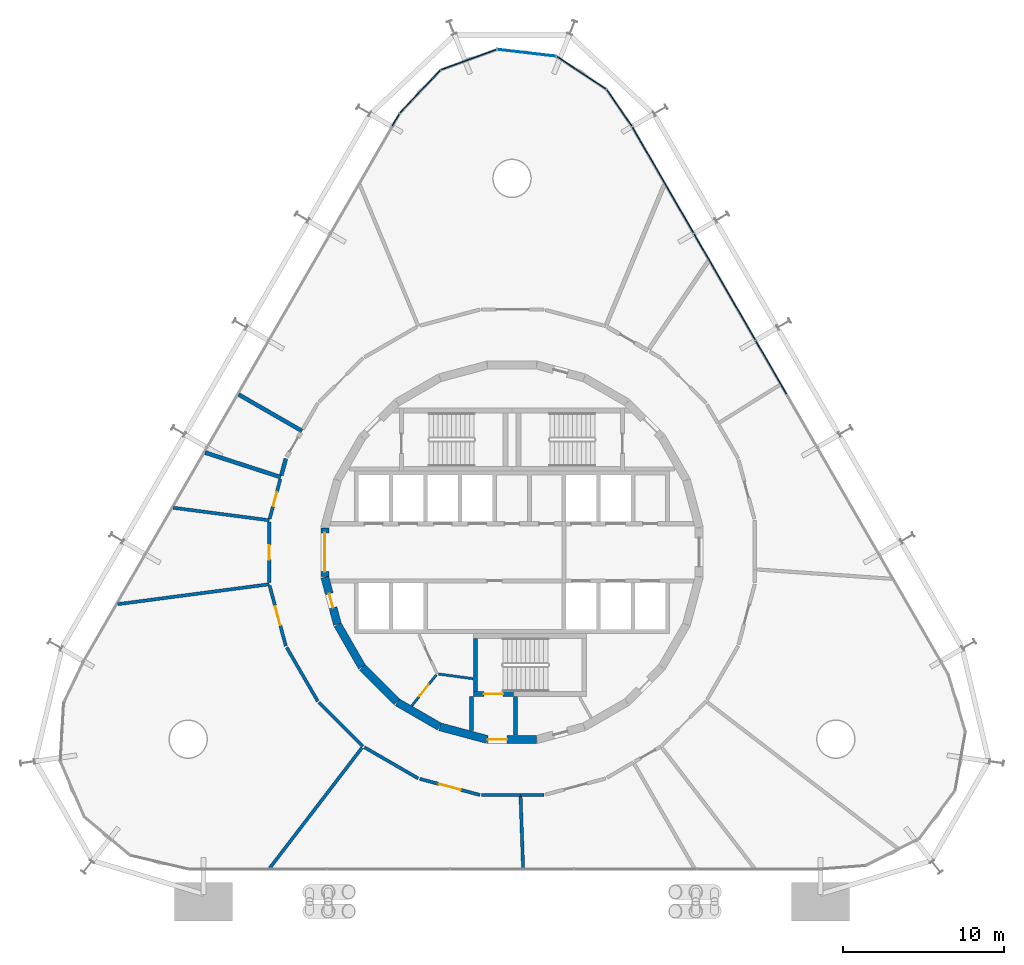
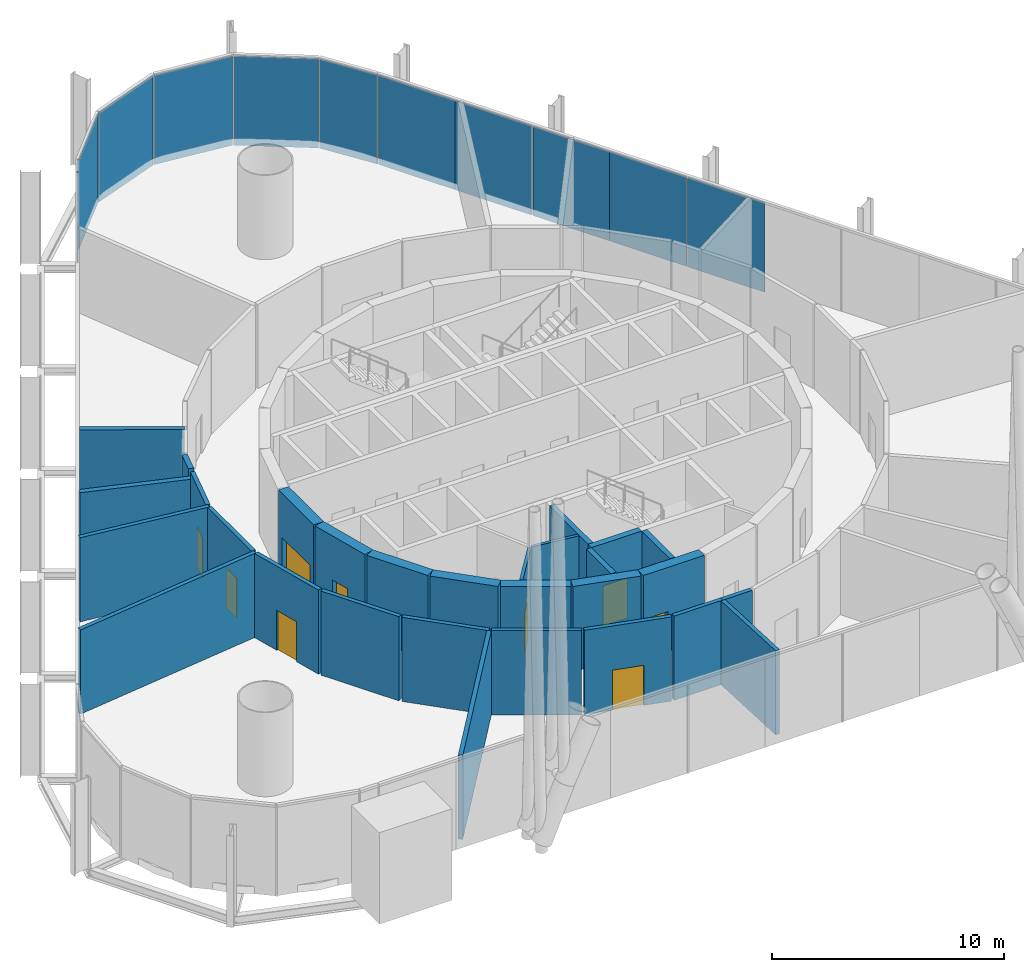
# One storey, part 13 of 17: 29 walls, 11 plates, 9 doors, 9 openings, 2 elements without a shape of their own.
"""IFC4 building model written with IfcOpenShell, lengths in metres."""

from ifc_helpers import new_model, si_unit, direction, frame, frame_2d, origin, origin_2d, place, context, subcontext, project, spatial, rectangle, extrude, material, layer, layer_set, type_object, element, fill, aggregate, save


model = new_model("IFC4")

# Units and contexts
model_context = context("Model", 3, precision=1e-05, world=origin(), true_north=direction((0.0, 1.0)))
body_context = subcontext(model_context, "Body", "Model", "MODEL_VIEW")
ifc_project = project(units=[si_unit("LENGTHUNIT", "METRE"), si_unit("AREAUNIT", "SQUARE_METRE"), si_unit("VOLUMEUNIT", "CUBIC_METRE"), si_unit("PLANEANGLEUNIT", "RADIAN"), si_unit("MASSUNIT", "GRAM", prefix="KILO")], contexts=[model_context])

# Site, building, storey
site_placement = place(None, origin())
site = spatial("IfcSite", under=ifc_project, at=site_placement, CompositionType="ELEMENT")
building_placement = place(site_placement, origin())
building = spatial("IfcBuilding", under=site, at=building_placement, Name="Spindle Arch Residences", CompositionType="ELEMENT")
storey_placement = place(building_placement, frame((0.0, 0.0, 13.800048828125)))
storey = spatial("IfcBuildingStorey", under=building, at=storey_placement, Name="L02", CompositionType="ELEMENT", Elevation=13.800048828125)

# Curtain wall, plates
ifc_material_1 = material(Name="Aluminium bronze unitised frame with tinted glass", Category="aluminium")
ifc_layer_1 = layer(ifc_material_1, 0.159912109375)
ifc_layer_set_1 = layer_set([ifc_layer_1], Name="CW-B amenity podium glazed wall")
curtain_wall_type_1 = type_object("IfcCurtainWallType", Name="CW-B amenity podium glazed wall", PredefinedType="NOTDEFINED", material=ifc_layer_set_1)
curtain_wall_1_placement = place(storey_placement, origin())
curtain_wall_1 = element("IfcCurtainWall", 1, at=curtain_wall_1_placement, inside=storey, type_object=curtain_wall_type_1, Name="CW-B L02 run 2", PredefinedType="NOTDEFINED")
ifc_material_2 = material(Name="Tinted double glazing over aluminium faced non-combustible spandrel zone (K0)", Category="aluminium")
ifc_layer_2 = layer(ifc_material_2, 0.06005859375)
ifc_layer_set_2 = layer_set([ifc_layer_2], Name="Unitised glass panel with E 60 spandrel zone")
plate_type = type_object("IfcPlateType", Name="Unitised glass panel with E 60 spandrel zone", PredefinedType="CURTAIN_PANEL", material=ifc_layer_set_2)
plate_1_placement = place(storey_placement, frame((16.11669921875, 11.504638671875, -0.3798828125), z_axis=(0.0, 0.0, 1.0), x_axis=(-0.5, 0.866025403784, 0.0)))
plate_1 = element("IfcPlate", 2, at=plate_1_placement, type_object=plate_type, Name="CW-B unit 07B", PredefinedType="CURTAIN_PANEL", context=body_context, shape_type="SweptSolid", body=[
    extrude(rectangle(XDim=3.81005859375, YDim=0.06005859375, at=origin_2d()), origin(), (0.0, 0.0, 1.0), 4.679931640625),
])
plate_2_placement = place(storey_placement, frame((14.181640625, 14.856201171875, -0.3798828125), z_axis=(0.0, 0.0, 1.0), x_axis=(-0.5, 0.866025403784, 0.0)))
plate_2 = element("IfcPlate", 3, at=plate_2_placement, type_object=plate_type, Name="CW-B unit 08A", PredefinedType="CURTAIN_PANEL", context=body_context, shape_type="SweptSolid", body=[
    extrude(rectangle(XDim=3.81005859375, YDim=0.06005859375, at=origin_2d()), origin(), (0.0, 0.0, 1.0), 4.679931640625),
])
plate_3_placement = place(storey_placement, frame((12.27685546875, 18.156005859375, -0.3798828125), z_axis=(0.0, 0.0, 1.0), x_axis=(-0.5, 0.866025403784, 0.0)))
plate_3 = element("IfcPlate", 4, at=plate_3_placement, type_object=plate_type, Name="CW-B unit 08B", PredefinedType="CURTAIN_PANEL", context=body_context, shape_type="SweptSolid", body=[
    extrude(rectangle(XDim=3.81005859375, YDim=0.06005859375, at=origin_2d()), origin(), (0.0, 0.0, 1.0), 4.679931640625),
])
plate_4_placement = place(storey_placement, frame((10.341796875, 21.50732421875, -0.3798828125), z_axis=(0.0, 0.0, 1.0), x_axis=(-0.5, 0.866025403784, 0.0)))
plate_4 = element("IfcPlate", 5, at=plate_4_placement, type_object=plate_type, Name="CW-B unit 09A", PredefinedType="CURTAIN_PANEL", context=body_context, shape_type="SweptSolid", body=[
    extrude(rectangle(XDim=3.81005859375, YDim=0.06005859375, at=origin_2d()), origin(), (0.0, 0.0, 1.0), 4.679931640625),
])
plate_5_placement = place(storey_placement, frame((8.436767578125, 24.80712890625, -0.3798828125), z_axis=(0.0, 0.0, 1.0), x_axis=(-0.5, 0.866025403784, 0.0)))
plate_5 = element("IfcPlate", 6, at=plate_5_placement, type_object=plate_type, Name="CW-B unit 09B", PredefinedType="CURTAIN_PANEL", context=body_context, shape_type="SweptSolid", body=[
    extrude(rectangle(XDim=3.81005859375, YDim=0.06005859375, at=origin_2d()), origin(), (0.0, 0.0, 1.0), 4.679931640625),
])
aggregate(curtain_wall_1, [plate_1, plate_2, plate_3, plate_4, plate_5])

ifc_material_3 = material(Name="Aluminium bronze unitised frame with tinted glass", Category="aluminium")
ifc_layer_3 = layer(ifc_material_3, 0.159912109375)
ifc_layer_set_3 = layer_set([ifc_layer_3], Name="CW-D corner wall on the fillet arcs")
curtain_wall_type_2 = type_object("IfcCurtainWallType", Name="CW-D corner wall on the fillet arcs", PredefinedType="NOTDEFINED", material=ifc_layer_set_3)
curtain_wall_2_placement = place(storey_placement, origin())
curtain_wall_2 = element("IfcCurtainWall", 7, at=curtain_wall_2_placement, inside=storey, type_object=curtain_wall_type_2, Name="CW-D L02 run 3", PredefinedType="NOTDEFINED")
plate_6_placement = place(storey_placement, frame((6.673095703125, 27.643798828125, -0.3798828125), z_axis=(0.0, 0.0, 1.0), x_axis=(-0.565500718711, 0.824747802142, 0.0)))
plate_6 = element("IfcPlate", 8, at=plate_6_placement, type_object=plate_type, Name="CW-D unit 00", PredefinedType="CURTAIN_PANEL", context=body_context, shape_type="SweptSolid", body=[
    extrude(rectangle(XDim=2.755126953125, YDim=0.06005859375, at=origin_2d()), origin(), (0.0, 0.0, 1.0), 4.679931640625),
])
plate_7_placement = place(storey_placement, frame((4.3203125, 29.82861328125, -0.3798828125), z_axis=(0.0, 0.0, 1.0), x_axis=(-0.835487811704, 0.549508977628, 0.0)))
plate_7 = element("IfcPlate", 9, at=plate_7_placement, type_object=plate_type, Name="CW-D unit 01", PredefinedType="CURTAIN_PANEL", context=body_context, shape_type="SweptSolid", body=[
    extrude(rectangle(XDim=3.666748046875, YDim=0.06005859375, at=origin_2d()), origin(), (0.0, 0.0, 1.0), 4.679931640625),
])
plate_8_placement = place(storey_placement, frame((0.912841796875, 31.06884765625, -0.3798828125), z_axis=(0.0, 0.0, 1.0), x_axis=(-0.993238357591, 0.116092915414, 0.0)))
plate_8 = element("IfcPlate", 10, at=plate_8_placement, type_object=plate_type, Name="CW-D unit 02", PredefinedType="CURTAIN_PANEL", context=body_context, shape_type="SweptSolid", body=[
    extrude(rectangle(XDim=3.666748046875, YDim=0.06005859375, at=origin_2d()), origin(), (0.0, 0.0, 1.0), 4.679931640625),
])
plate_9_placement = place(storey_placement, frame((-2.68896484375, 30.64794921875, -0.3798828125), z_axis=(0.0, 0.0, 1.0), x_axis=(-0.939692621437, -0.342020141538, 0.0)))
plate_9 = element("IfcPlate", 11, at=plate_9_placement, type_object=plate_type, Name="CW-D unit 03", PredefinedType="CURTAIN_PANEL", context=body_context, shape_type="SweptSolid", body=[
    extrude(rectangle(XDim=3.666748046875, YDim=0.06005859375, at=origin_2d()), origin(), (0.0, 0.0, 1.0), 4.679931640625),
])
plate_10_placement = place(storey_placement, frame((-5.71875, 28.6552734375, -0.3798828125), z_axis=(0.0, 0.0, 1.0), x_axis=(-0.686241639236, -0.727373640284, 0.0)))
plate_10 = element("IfcPlate", 12, at=plate_10_placement, type_object=plate_type, Name="CW-D unit 04", PredefinedType="CURTAIN_PANEL", context=body_context, shape_type="SweptSolid", body=[
    extrude(rectangle(XDim=3.666748046875, YDim=0.06005859375, at=origin_2d()), origin(), (0.0, 0.0, 1.0), 4.679931640625),
])
plate_11_placement = place(storey_placement, frame((-7.2333984375, 26.891357421875, -0.3798828125), z_axis=(0.0, 0.0, 1.0), x_axis=(-0.5, -0.866025403784, 0.0)))
plate_11 = element("IfcPlate", 13, at=plate_11_placement, type_object=plate_type, Name="CW-D unit 05", PredefinedType="CURTAIN_PANEL", context=body_context, shape_type="SweptSolid", body=[
    extrude(rectangle(XDim=0.88330078125, YDim=0.06005859375, at=origin_2d()), origin(), (0.0, 0.0, 1.0), 4.679931640625),
])
aggregate(curtain_wall_2, [plate_6, plate_7, plate_8, plate_9, plate_10, plate_11])

# Wall, opening, door
ifc_material_4 = material(Name="Concrete C50/60", Category="concrete")
ifc_layer_4 = layer(ifc_material_4, 0.5)
ifc_layer_set_4 = layer_set([ifc_layer_4], Name="Core outline wall 500")
wall_type_1 = type_object("IfcWallType", Name="Core outline wall 500", PredefinedType="SHEAR", material=ifc_layer_set_4)
wall_1_placement = place(storey_placement, frame((-11.647216796875, 1.516357421875, 0.0), z_axis=(0.0, 0.0, 1.0), x_axis=(0.0, -1.0, 0.0)))
wall_1 = element("IfcWall", 14, at=wall_1_placement, inside=storey, type_object=wall_type_1, Name="Core outline wall 18", PredefinedType="SHEAR", context=body_context, shape_type="SweptSolid", body=[
    extrude(rectangle(XDim=3.03271484375, YDim=0.5, at=frame_2d((1.516357421875, 0.0))), origin(), (0.0, 0.0, 1.0), 4.419921875),
])
opening_1_placement = place(wall_1_placement, frame((0.31640625, 0.0, 0.0)))
opening_1 = element("IfcOpeningElement", 15, at=opening_1_placement, cuts=wall_1, Name="Opening L02-LE01", PredefinedType="OPENING", context=body_context, shape_type="SweptSolid", body=[
    extrude(rectangle(XDim=2.39990234375, YDim=2.10009765625, at=frame_2d((1.199951171875, 1.050048828125))), frame((0.0, 0.260009765625, 0.0), z_axis=(0.0, -1.0, 0.0), x_axis=(1.0, 0.0, 0.0)), (0.0, 0.0, 1.0), 0.52001953125),
])
ifc_material_5 = material(Name="Steel, fire-resisting door", Category="steel")
door_type_1 = type_object("IfcDoorType", Name="Lift lobby entrance door 2400x2100", OperationType="DOUBLE_DOOR_SINGLE_SWING", PredefinedType="DOOR", material=ifc_material_5)
door_1_placement = place(opening_1_placement, origin())
door_1 = element("IfcDoor", 16, at=door_1_placement, inside=storey, type_object=door_type_1, Name="Lift lobby entrance door L02-LE01", OperationType="DOUBLE_DOOR_SINGLE_SWING", OverallHeight=2.10009765625, OverallWidth=2.39990234375, PredefinedType="DOOR", context=body_context, shape_type="SweptSolid", body=[
    extrude(rectangle(XDim=2.39990234375, YDim=2.10009765625, at=frame_2d((1.199951171875, 1.050048828125))), frame((0.0, 0.02490234375, 0.0), z_axis=(0.0, -1.0, 0.0), x_axis=(1.0, 0.0, 0.0)), (0.0, 0.0, 1.0), 0.050048828125),
])
fill(opening_1, door_1)

wall_2_placement = place(storey_placement, frame((-11.642822265625, -1.5498046875, 0.0), z_axis=(0.0, 0.0, 1.0), x_axis=(0.258734743916, -0.965948410781, 0.0)))
wall_2 = element("IfcWall", 17, at=wall_2_placement, inside=storey, type_object=wall_type_1, Name="Core outline wall 19", PredefinedType="SHEAR", context=body_context, shape_type="SweptSolid", body=[
    extrude(rectangle(XDim=3.03271484375, YDim=0.5, at=frame_2d((1.516357421875, 0.0))), origin(), (0.0, 0.0, 1.0), 4.419921875),
])
opening_2_placement = place(wall_2_placement, frame((1.06640625, 0.0, 0.0)))
opening_2 = element("IfcOpeningElement", 18, at=opening_2_placement, cuts=wall_2, Name="Opening L02-WD09", PredefinedType="OPENING", context=body_context, shape_type="SweptSolid", body=[
    extrude(rectangle(XDim=0.89990234375, YDim=2.10009765625, at=frame_2d((0.449951171875, 1.050048828125))), frame((0.0, 0.260009765625, 0.0), z_axis=(0.0, -1.0, 0.0), x_axis=(1.0, 0.0, 0.0)), (0.0, 0.0, 1.0), 0.52001953125),
])
ifc_material_6 = material(Name="Steel, fire-resisting door", Category="steel")
door_type_2 = type_object("IfcDoorType", Name="Service room door 900x2100", OperationType="SINGLE_SWING_LEFT", PredefinedType="DOOR", material=ifc_material_6)
door_2_placement = place(opening_2_placement, origin())
door_2 = element("IfcDoor", 19, at=door_2_placement, inside=storey, type_object=door_type_2, Name="Service room door L02-WD09", OperationType="SINGLE_SWING_RIGHT", OverallHeight=2.10009765625, OverallWidth=0.89990234375, PredefinedType="DOOR", context=body_context, shape_type="SweptSolid", body=[
    extrude(rectangle(XDim=0.89990234375, YDim=2.10009765625, at=frame_2d((0.449951171875, 1.050048828125))), frame((0.0, 0.02490234375, 0.0), z_axis=(0.0, -1.0, 0.0), x_axis=(1.0, 0.0, 0.0)), (0.0, 0.0, 1.0), 0.050048828125),
])
fill(opening_2, door_2)

# Walls
wall_3_placement = place(storey_placement, frame((-10.84521484375, -4.510498046875, 0.0), z_axis=(0.0, 0.0, 1.0), x_axis=(0.500087131594, -0.865975092491, 0.0)))
element("IfcWall", 20, at=wall_3_placement, inside=storey, type_object=wall_type_1, Name="Core outline wall 20", PredefinedType="SHEAR", context=body_context, shape_type="SweptSolid", body=[
    extrude(rectangle(XDim=3.03271484375, YDim=0.5, at=frame_2d((1.516357421875, 0.0))), origin(), (0.0, 0.0, 1.0), 4.419921875),
])
wall_4_placement = place(storey_placement, frame((-9.30810546875, -7.163818359375, 0.0), z_axis=(0.0, 0.0, 1.0), x_axis=(0.707106781187, -0.707106781187, 0.0)))
element("IfcWall", 21, at=wall_4_placement, inside=storey, type_object=wall_type_1, Name="Core outline wall 21", PredefinedType="SHEAR", context=body_context, shape_type="SweptSolid", body=[
    extrude(rectangle(XDim=3.032470703125, YDim=0.5, at=frame_2d((1.51611328125, 0.0))), origin(), (0.0, 0.0, 1.0), 4.419921875),
])
for number, where, z_axis, x_axis, name in (
    (22, (-7.13671875, -9.32861328125, 0.0), (0.0, 0.0, 1.0), (0.865975092491, -0.500087131594, 0.0), "Core outline wall 22"),
    (23, (-4.479248046875, -10.858154296875, 0.0), (0.0, 0.0, 1.0), (0.965948410781, -0.258734743916, 0.0), "Core outline wall 23"),
):
    element("IfcWall", number, at=place(storey_placement, frame(where, z_axis=z_axis, x_axis=x_axis)), inside=storey, type_object=wall_type_1, Name=name, PredefinedType="SHEAR", context=body_context, shape_type="SweptSolid", body=[
        extrude(rectangle(XDim=3.03271484375, YDim=0.5, at=frame_2d((1.516357421875, 0.0))), origin(), (0.0, 0.0, 1.0), 4.419921875),
    ])

# Wall, opening, door
wall_5_placement = place(storey_placement, frame((-1.516357421875, -11.647216796875, 0.0), z_axis=(0.0, 0.0, 1.0), x_axis=(1.0, 0.0, 0.0)))
wall_5 = element("IfcWall", 24, at=wall_5_placement, inside=storey, type_object=wall_type_1, Name="Core outline wall 24", PredefinedType="SHEAR", context=body_context, shape_type="SweptSolid", body=[
    extrude(rectangle(XDim=3.03271484375, YDim=0.5, at=frame_2d((1.516357421875, 0.0))), origin(), (0.0, 0.0, 1.0), 4.419921875),
])
opening_3_placement = place(wall_5_placement, frame((0.016357421875, 0.0, 0.0)))
opening_3 = element("IfcOpeningElement", 25, at=opening_3_placement, cuts=wall_5, Name="Opening L02-AD03", PredefinedType="OPENING", context=body_context, shape_type="SweptSolid", body=[
    extrude(rectangle(XDim=1.199951171875, YDim=2.10009765625, at=frame_2d((0.60009765625, 1.050048828125))), frame((0.0, 0.260009765625, 0.0), z_axis=(0.0, -1.0, 0.0), x_axis=(1.0, 0.0, 0.0)), (0.0, 0.0, 1.0), 0.52001953125),
])
ifc_material_7 = material(Name="Steel, fire-resisting door", Category="steel")
door_type_3 = type_object("IfcDoorType", Name="Stair airlock door 1200x2100", OperationType="SINGLE_SWING_LEFT", PredefinedType="DOOR", material=ifc_material_7)
door_3_placement = place(opening_3_placement, origin())
door_3 = element("IfcDoor", 26, at=door_3_placement, inside=storey, type_object=door_type_3, Name="Stair airlock door L02-AD03", OperationType="SINGLE_SWING_RIGHT", OverallHeight=2.10009765625, OverallWidth=1.199951171875, PredefinedType="DOOR", context=body_context, shape_type="SweptSolid", body=[
    extrude(rectangle(XDim=1.199951171875, YDim=2.10009765625, at=frame_2d((0.60009765625, 1.050048828125))), frame((0.0, 0.02490234375, 0.0), z_axis=(0.0, -1.0, 0.0), x_axis=(1.0, 0.0, 0.0)), (0.0, 0.0, 1.0), 0.050048828125),
])
fill(opening_3, door_3)

# Walls
ifc_material_8 = material(Name="Concrete C25/30 wall", Category="concrete")
ifc_layer_5 = layer(ifc_material_8, 0.25)
ifc_layer_set_5 = layer_set([ifc_layer_5], Name="Partition EI 120 250 store")
wall_type_2 = type_object("IfcWallType", Name="Partition EI 120 250 store", PredefinedType="PARTITIONING", material=ifc_layer_set_5)
wall_6_placement = place(storey_placement, frame((-14.3798828125, 4.669921875, 0.0), z_axis=(0.0, 0.0, 1.0), x_axis=(-0.951080790776, 0.308942275219, 0.0)))
element("IfcWall", 27, at=wall_6_placement, inside=storey, type_object=wall_type_2, Name="L02-W005", PredefinedType="PARTITIONING", context=body_context, shape_type="SweptSolid", body=[
    extrude(rectangle(XDim=4.952392578125, YDim=0.25, at=frame_2d((2.47607421875, 0.0))), origin(), (0.0, 0.0, 1.0), 4.030029296875),
])
wall_7_placement = place(storey_placement, frame((-14.070068359375, 5.830078125, 0.0), z_axis=(0.0, 0.0, 1.0), x_axis=(-0.258044022259, -0.966133159857, 0.0)))
element("IfcWall", 28, at=wall_7_placement, inside=storey, type_object=wall_type_2, Name="L02-W008", PredefinedType="PARTITIONING", context=body_context, shape_type="SweptSolid", body=[
    extrude(rectangle(XDim=1.07568359375, YDim=0.25, at=frame_2d((0.537841796875, 0.0))), origin(), (0.0, 0.0, 1.0), 4.419921875),
])
wall_8_placement = place(storey_placement, frame((-13.070068359375, 7.550048828125, 0.0), z_axis=(0.0, 0.0, 1.0), x_axis=(-0.866877794005, 0.498520701938, 0.0)))
element("IfcWall", 29, at=wall_8_placement, inside=storey, type_object=wall_type_2, Name="L02-W009", PredefinedType="PARTITIONING", context=body_context, shape_type="SweptSolid", body=[
    extrude(rectangle(XDim=4.533447265625, YDim=0.25, at=frame_2d((2.2666015625, 0.0))), origin(), (0.0, 0.0, 1.0), 4.419921875),
])
ifc_material_9 = material(Name="Gypsum board partition on steel studs", Category="steel")
ifc_layer_6 = layer(ifc_material_9, 0.199951171875)
ifc_layer_set_6 = layer_set([ifc_layer_6], Name="Partition EI 60 200 amenity")
wall_type_3 = type_object("IfcWallType", Name="Partition EI 60 200 amenity", PredefinedType="PARTITIONING", material=ifc_layer_set_6)
wall_9_placement = place(storey_placement, frame((-15.10009765625, -1.989990234375, 0.0), z_axis=(0.0, 0.0, 1.0), x_axis=(-0.99146503856, -0.130372839634, 0.0)))
element("IfcWall", 30, at=wall_9_placement, inside=storey, type_object=wall_type_3, Name="L02-W001", PredefinedType="PARTITIONING", context=body_context, shape_type="SweptSolid", body=[
    extrude(rectangle(XDim=9.51123046875, YDim=0.199951171875, at=frame_2d((4.755615234375, 0.0))), origin(), (0.0, 0.0, 1.0), 4.419921875),
])

# Wall, opening, door
wall_10_placement = place(storey_placement, frame((-15.073974609375, -2.086669921875, 0.0), z_axis=(0.0, 0.0, 1.0), x_axis=(0.259026804199, -0.965870133458, 0.0)))
wall_10 = element("IfcWall", 31, at=wall_10_placement, inside=storey, type_object=wall_type_3, Name="L02-W002", PredefinedType="PARTITIONING", context=body_context, shape_type="SweptSolid", body=[
    extrude(rectangle(XDim=3.875732421875, YDim=0.199951171875, at=frame_2d((1.93798828125, 0.0))), origin(), (0.0, 0.0, 1.0), 4.419921875),
])
opening_4_placement = place(wall_10_placement, frame((1.337890625, 0.0, 0.0)))
opening_4 = element("IfcOpeningElement", 32, at=opening_4_placement, cuts=wall_10, Name="Opening L02-D05", PredefinedType="OPENING", context=body_context, shape_type="SweptSolid", body=[
    extrude(rectangle(XDim=1.199951171875, YDim=2.10009765625, at=frame_2d((0.60009765625, 1.050048828125))), frame((0.0, 0.10986328125, 0.0), z_axis=(0.0, -1.0, 0.0), x_axis=(1.0, 0.0, 0.0)), (0.0, 0.0, 1.0), 0.219970703125),
])
ifc_material_10 = material(Name="Timber door leaf", Category="wood")
door_type_4 = type_object("IfcDoorType", Name="Door 1200x2100 EI 30", OperationType="SINGLE_SWING_LEFT", PredefinedType="DOOR", material=ifc_material_10)
door_4_placement = place(opening_4_placement, origin())
door_4 = element("IfcDoor", 33, at=door_4_placement, inside=storey, type_object=door_type_4, Name="L02-D05", OperationType="SINGLE_SWING_LEFT", OverallHeight=2.10009765625, OverallWidth=1.199951171875, PredefinedType="DOOR", context=body_context, shape_type="SweptSolid", body=[
    extrude(rectangle(XDim=1.199951171875, YDim=2.10009765625, at=frame_2d((0.60009765625, 1.050048828125))), frame((0.0, 0.02490234375, 0.0), z_axis=(0.0, -1.0, 0.0), x_axis=(1.0, 0.0, 0.0)), (0.0, 0.0, 1.0), 0.050048828125),
])
fill(opening_4, door_4)

# Wall
wall_11_placement = place(storey_placement, frame((-15.10009765625, 1.989990234375, 0.0), z_axis=(0.0, 0.0, 1.0), x_axis=(-0.991571896529, 0.129557608858, 0.0)))
element("IfcWall", 34, at=wall_11_placement, inside=storey, type_object=wall_type_3, Name="L02-W003", PredefinedType="PARTITIONING", context=body_context, shape_type="SweptSolid", body=[
    extrude(rectangle(XDim=6.020751953125, YDim=0.199951171875, at=frame_2d((3.01025390625, 0.0))), origin(), (0.0, 0.0, 1.0), 4.419921875),
])

# Wall, opening, door
wall_12_placement = place(storey_placement, frame((-15.10009765625, 1.889892578125, 0.0), z_axis=(0.0, 0.0, 1.0), x_axis=(0.0, -1.0, 0.0)))
wall_12 = element("IfcWall", 35, at=wall_12_placement, inside=storey, type_object=wall_type_3, Name="L02-W004", PredefinedType="PARTITIONING", context=body_context, shape_type="SweptSolid", body=[
    extrude(rectangle(XDim=3.77978515625, YDim=0.199951171875, at=frame_2d((1.889892578125, 0.0))), origin(), (0.0, 0.0, 1.0), 4.419921875),
])
opening_5_placement = place(wall_12_placement, frame((1.43994140625, 0.0, 0.0)))
opening_5 = element("IfcOpeningElement", 36, at=opening_5_placement, cuts=wall_12, Name="Opening L02-D07", PredefinedType="OPENING", context=body_context, shape_type="SweptSolid", body=[
    extrude(rectangle(XDim=0.89990234375, YDim=2.10009765625, at=frame_2d((0.449951171875, 1.050048828125))), frame((0.0, 0.10986328125, 0.0), z_axis=(0.0, -1.0, 0.0), x_axis=(1.0, 0.0, 0.0)), (0.0, 0.0, 1.0), 0.219970703125),
])
ifc_material_11 = material(Name="Timber door leaf", Category="wood")
door_type_5 = type_object("IfcDoorType", Name="Door 900x2100 EI 30", OperationType="SINGLE_SWING_LEFT", PredefinedType="DOOR", material=ifc_material_11)
door_5_placement = place(opening_5_placement, origin())
door_5 = element("IfcDoor", 37, at=door_5_placement, inside=storey, type_object=door_type_5, Name="L02-D07", OperationType="SINGLE_SWING_LEFT", OverallHeight=2.10009765625, OverallWidth=0.89990234375, PredefinedType="DOOR", context=body_context, shape_type="SweptSolid", body=[
    extrude(rectangle(XDim=0.89990234375, YDim=2.10009765625, at=frame_2d((0.449951171875, 1.050048828125))), frame((0.0, 0.02490234375, 0.0), z_axis=(0.0, -1.0, 0.0), x_axis=(1.0, 0.0, 0.0)), (0.0, 0.0, 1.0), 0.050048828125),
])
fill(opening_5, door_5)

wall_13_placement = place(storey_placement, frame((-14.412353515625, 4.54931640625, 0.0), z_axis=(0.0, 0.0, 1.0), x_axis=(-0.25946184252, -0.965753359961, 0.0)))
wall_13 = element("IfcWall", 38, at=wall_13_placement, inside=storey, type_object=wall_type_3, Name="L02-W006", PredefinedType="PARTITIONING", context=body_context, shape_type="SweptSolid", body=[
    extrude(rectangle(XDim=2.550048828125, YDim=0.199951171875, at=frame_2d((1.27490234375, 0.0))), origin(), (0.0, 0.0, 1.0), 4.419921875),
])
opening_6_placement = place(wall_13_placement, frame((0.824951171875, 0.0, 0.0)))
opening_6 = element("IfcOpeningElement", 39, at=opening_6_placement, cuts=wall_13, Name="Opening L02-D09", PredefinedType="OPENING", context=body_context, shape_type="SweptSolid", body=[
    extrude(rectangle(XDim=0.89990234375, YDim=2.10009765625, at=frame_2d((0.449951171875, 1.050048828125))), frame((0.0, 0.10986328125, 0.0), z_axis=(0.0, -1.0, 0.0), x_axis=(1.0, 0.0, 0.0)), (0.0, 0.0, 1.0), 0.219970703125),
])
door_6_placement = place(opening_6_placement, origin())
door_6 = element("IfcDoor", 40, at=door_6_placement, inside=storey, type_object=door_type_5, Name="L02-D09", OperationType="SINGLE_SWING_LEFT", OverallHeight=2.10009765625, OverallWidth=0.89990234375, PredefinedType="DOOR", context=body_context, shape_type="SweptSolid", body=[
    extrude(rectangle(XDim=0.89990234375, YDim=2.10009765625, at=frame_2d((0.449951171875, 1.050048828125))), frame((0.0, 0.02490234375, 0.0), z_axis=(0.0, -1.0, 0.0), x_axis=(1.0, 0.0, 0.0)), (0.0, 0.0, 1.0), 0.050048828125),
])
fill(opening_6, door_6)

# Walls
wall_14_placement = place(storey_placement, frame((-14.02001953125, -5.91650390625, 0.0), z_axis=(0.0, 0.0, 1.0), x_axis=(0.500733182901, -0.865601686425, 0.0)))
element("IfcWall", 41, at=wall_14_placement, inside=storey, type_object=wall_type_3, Name="L02-W007", PredefinedType="PARTITIONING", context=body_context, shape_type="SweptSolid", body=[
    extrude(rectangle(XDim=3.874267578125, YDim=0.199951171875, at=frame_2d((1.93701171875, 0.0))), origin(), (0.0, 0.0, 1.0), 4.419921875),
])
wall_15_placement = place(storey_placement, frame((-12.00927734375, -9.3408203125, 0.0), z_axis=(0.0, 0.0, 1.0), x_axis=(0.707106781187, -0.707106781187, 0.0)))
element("IfcWall", 42, at=wall_15_placement, inside=storey, type_object=wall_type_3, Name="L02-W011", PredefinedType="PARTITIONING", context=body_context, shape_type="SweptSolid", body=[
    extrude(rectangle(XDim=3.873779296875, YDim=0.199951171875, at=frame_2d((1.93701171875, 0.0))), origin(), (0.0, 0.0, 1.0), 4.419921875),
])
wall_16_placement = place(storey_placement, frame((-9.330810546875, -12.159423828125, 0.0), z_axis=(0.0, 0.0, 1.0), x_axis=(-0.608558385637, -0.793509099677, 0.0)))
element("IfcWall", 43, at=wall_16_placement, inside=storey, type_object=wall_type_3, Name="L02-W013", PredefinedType="PARTITIONING", context=body_context, shape_type="SweptSolid", body=[
    extrude(rectangle(XDim=9.41455078125, YDim=0.199951171875, at=frame_2d((4.707275390625, 0.0))), origin(), (0.0, 0.0, 1.0), 4.419921875),
])
wall_17_placement = place(storey_placement, frame((-9.183349609375, -12.130126953125, 0.0), z_axis=(0.0, 0.0, 1.0), x_axis=(0.865585884642, -0.500760497952, 0.0)))
element("IfcWall", 44, at=wall_17_placement, inside=storey, type_object=wall_type_3, Name="L02-W014", PredefinedType="PARTITIONING", context=body_context, shape_type="SweptSolid", body=[
    extrude(rectangle(XDim=3.8740234375, YDim=0.199951171875, at=frame_2d((1.93701171875, 0.0))), origin(), (0.0, 0.0, 1.0), 4.419921875),
])

# Wall, opening, door
wall_18_placement = place(storey_placement, frame((-5.7333984375, -14.095947265625, 0.0), z_axis=(0.0, 0.0, 1.0), x_axis=(0.96585437197, -0.259085569159, 0.0)))
wall_18 = element("IfcWall", 45, at=wall_18_placement, inside=storey, type_object=wall_type_3, Name="L02-W016", PredefinedType="PARTITIONING", context=body_context, shape_type="SweptSolid", body=[
    extrude(rectangle(XDim=3.875732421875, YDim=0.199951171875, at=frame_2d((1.93798828125, 0.0))), origin(), (0.0, 0.0, 1.0), 4.419921875),
])
opening_7_placement = place(wall_18_placement, frame((1.23779296875, 0.0, 0.0)))
opening_7 = element("IfcOpeningElement", 46, at=opening_7_placement, cuts=wall_18, Name="Opening L02-D02", PredefinedType="OPENING", context=body_context, shape_type="SweptSolid", body=[
    extrude(rectangle(XDim=1.39990234375, YDim=2.10009765625, at=frame_2d((0.699951171875, 1.050048828125))), frame((0.0, 0.10986328125, 0.0), z_axis=(0.0, -1.0, 0.0), x_axis=(1.0, 0.0, 0.0)), (0.0, 0.0, 1.0), 0.219970703125),
])
ifc_material_12 = material(Name="Timber door leaves, acoustic seals", Category="wood")
door_type_6 = type_object("IfcDoorType", Name="Library double door EI 30 1400x2100", OperationType="DOUBLE_DOOR_SINGLE_SWING", PredefinedType="DOOR", material=ifc_material_12)
door_7_placement = place(opening_7_placement, origin())
door_7 = element("IfcDoor", 47, at=door_7_placement, inside=storey, type_object=door_type_6, Name="L02-D02", OperationType="DOUBLE_DOOR_SINGLE_SWING", OverallHeight=2.10009765625, OverallWidth=1.39990234375, PredefinedType="DOOR", context=body_context, shape_type="SweptSolid", body=[
    extrude(rectangle(XDim=1.39990234375, YDim=2.10009765625, at=frame_2d((0.699951171875, 1.050048828125))), frame((0.0, 0.02490234375, 0.0), z_axis=(0.0, -1.0, 0.0), x_axis=(1.0, 0.0, 0.0)), (0.0, 0.0, 1.0), 0.050048828125),
])
fill(opening_7, door_7)

# Walls
wall_19_placement = place(storey_placement, frame((-1.889892578125, -15.10009765625, 0.0), z_axis=(0.0, 0.0, 1.0), x_axis=(1.0, 0.0, 0.0)))
element("IfcWall", 48, at=wall_19_placement, inside=storey, type_object=wall_type_3, Name="L02-W019", PredefinedType="PARTITIONING", context=body_context, shape_type="SweptSolid", body=[
    extrude(rectangle(XDim=2.419921875, YDim=0.199951171875, at=frame_2d((1.2099609375, 0.0))), origin(), (0.0, 0.0, 1.0), 4.419921875),
])
wall_20_placement = place(storey_placement, frame((0.533447265625, -15.199951171875, 0.0), z_axis=(0.0, 0.0, 1.0), x_axis=(0.035304513721, -0.999376601343, 0.0)))
element("IfcWall", 49, at=wall_20_placement, inside=storey, type_object=wall_type_3, Name="L02-W021", PredefinedType="PARTITIONING", context=body_context, shape_type="SweptSolid", body=[
    extrude(rectangle(XDim=4.4326171875, YDim=0.199951171875, at=frame_2d((2.21630859375, 0.0))), origin(), (0.0, 0.0, 1.0), 4.419921875),
])
wall_21_placement = place(storey_placement, frame((0.530029296875, -15.10009765625, 0.0), z_axis=(0.0, 0.0, 1.0), x_axis=(1.0, 0.0, 0.0)))
element("IfcWall", 50, at=wall_21_placement, inside=storey, type_object=wall_type_3, Name="L02-W022", PredefinedType="PARTITIONING", context=body_context, shape_type="SweptSolid", body=[
    extrude(rectangle(XDim=1.4599609375, YDim=0.199951171875, at=frame_2d((0.72998046875, 0.0))), origin(), (0.0, 0.0, 1.0), 4.419921875),
])

# Wall, opening, door
ifc_material_13 = material(Name="Concrete C25/30", Category="concrete")
ifc_layer_7 = layer(ifc_material_13, 0.14990234375)
ifc_layer_set_7 = layer_set([ifc_layer_7], Name="Service room partition 150")
wall_type_4 = type_object("IfcWallType", Name="Service room partition 150", PredefinedType="PARTITIONING", material=ifc_layer_set_7)
wall_22_placement = place(storey_placement, frame((-4.70556640625, -7.62548828125, 0.0), z_axis=(0.0, 0.0, 1.0), x_axis=(-0.621392599334, -0.783499353856, 0.0)))
wall_22 = element("IfcWall", 51, at=wall_22_placement, inside=storey, type_object=wall_type_4, Name="Core service room partition", PredefinedType="PARTITIONING", context=body_context, shape_type="SweptSolid", body=[
    extrude(rectangle(XDim=2.447265625, YDim=0.14990234375, at=frame_2d((1.2236328125, 0.0))), origin(), (0.0, 0.0, 1.0), 4.419921875),
])
opening_8_placement = place(wall_22_placement, frame((0.773681640625, 0.0, 0.0)))
opening_8 = element("IfcOpeningElement", 52, at=opening_8_placement, cuts=wall_22, Name="Opening L02-WD06", PredefinedType="OPENING", context=body_context, shape_type="SweptSolid", body=[
    extrude(rectangle(XDim=0.89990234375, YDim=2.10009765625, at=frame_2d((0.449951171875, 1.050048828125))), frame((0.0, 0.0849609375, 0.0), z_axis=(0.0, -1.0, 0.0), x_axis=(1.0, 0.0, 0.0)), (0.0, 0.0, 1.0), 0.169921875),
])
door_8_placement = place(opening_8_placement, origin())
door_8 = element("IfcDoor", 53, at=door_8_placement, inside=storey, type_object=door_type_2, Name="Service room door L02-WD06", OperationType="SINGLE_SWING_LEFT", OverallHeight=2.10009765625, OverallWidth=0.89990234375, PredefinedType="DOOR", context=body_context, shape_type="SweptSolid", body=[
    extrude(rectangle(XDim=0.89990234375, YDim=2.10009765625, at=frame_2d((0.449951171875, 1.050048828125))), frame((0.0, 0.02490234375, 0.0), z_axis=(0.0, -1.0, 0.0), x_axis=(1.0, 0.0, 0.0)), (0.0, 0.0, 1.0), 0.050048828125),
])
fill(opening_8, door_8)

# Walls
wall_23_placement = place(storey_placement, frame((-2.419921875, -7.865234375, 0.0), z_axis=(0.0, 0.0, 1.0), x_axis=(-0.990972299108, 0.134066783362, 0.0)))
element("IfcWall", 54, at=wall_23_placement, inside=storey, type_object=wall_type_4, Name="Core service room partition", PredefinedType="PARTITIONING", context=body_context, shape_type="SweptSolid", body=[
    extrude(rectangle(XDim=2.176025390625, YDim=0.14990234375, at=frame_2d((1.087890625, 0.0))), origin(), (0.0, 0.0, 1.0), 4.419921875),
])
ifc_material_14 = material(Name="Concrete C40/50", Category="concrete")
ifc_layer_8 = layer(ifc_material_14, 0.25)
ifc_layer_set_8 = layer_set([ifc_layer_8], Name="Stair airlock wall 250")
wall_type_5 = type_object("IfcWallType", Name="Stair airlock wall 250", PredefinedType="SHEAR", material=ifc_layer_set_8)
wall_24_placement = place(storey_placement, frame((-2.52490234375, -8.969970703125, 0.0), z_axis=(0.0, 0.0, 1.0), x_axis=(0.0, -1.0, 0.0)))
element("IfcWall", 55, at=wall_24_placement, inside=storey, type_object=wall_type_5, Name="Stair ST-3 airlock wall W", PredefinedType="SHEAR", context=body_context, shape_type="SweptSolid", body=[
    extrude(rectangle(XDim=2.110107421875, YDim=0.25, at=frame_2d((1.05517578125, 0.0))), origin(), (0.0, 0.0, 1.0), 4.419921875),
])
wall_25_placement = place(storey_placement, frame((0.22509765625, -8.969970703125, 0.0), z_axis=(0.0, 0.0, 1.0), x_axis=(0.0, -1.0, 0.0)))
element("IfcWall", 56, at=wall_25_placement, inside=storey, type_object=wall_type_5, Name="Stair ST-3 airlock wall E", PredefinedType="SHEAR", context=body_context, shape_type="SweptSolid", body=[
    extrude(rectangle(XDim=2.409912109375, YDim=0.25, at=frame_2d((1.205078125, 0.0))), origin(), (0.0, 0.0, 1.0), 4.419921875),
])
ifc_material_15 = material(Name="Concrete C50/60", Category="concrete")
ifc_layer_9 = layer(ifc_material_15, 0.25)
ifc_layer_set_9 = layer_set([ifc_layer_9], Name="Stair enclosure wall 250")
wall_type_6 = type_object("IfcWallType", Name="Stair enclosure wall 250", PredefinedType="SHEAR", material=ifc_layer_set_9)
wall_26_placement = place(storey_placement, frame((-2.27490234375, -8.669921875, 0.0), z_axis=(0.0, 0.0, 1.0), x_axis=(0.0, 1.0, 0.0)))
element("IfcWall", 57, at=wall_26_placement, inside=storey, type_object=wall_type_6, Name="Stair ST-3 enclosure wall W", PredefinedType="SHEAR", context=body_context, shape_type="SweptSolid", body=[
    extrude(rectangle(XDim=3.31982421875, YDim=0.25, at=frame_2d((1.659912109375, 0.0))), origin(), (0.0, 0.0, 1.0), 4.419921875),
])

# Wall, opening, door
ifc_material_16 = material(Name="Concrete C50/60", Category="concrete")
ifc_layer_10 = layer(ifc_material_16, 0.300048828125)
ifc_layer_set_10 = layer_set([ifc_layer_10], Name="Stair enclosure wall 300")
wall_type_7 = type_object("IfcWallType", Name="Stair enclosure wall 300", PredefinedType="SHEAR", material=ifc_layer_set_10)
wall_27_placement = place(storey_placement, frame((-2.39990234375, -8.820068359375, 0.0), z_axis=(0.0, 0.0, 1.0), x_axis=(1.0, 0.0, 0.0)))
wall_27 = element("IfcWall", 58, at=wall_27_placement, inside=storey, type_object=wall_type_7, Name="Stair ST-3 door wall", PredefinedType="SHEAR", context=body_context, shape_type="SweptSolid", body=[
    extrude(rectangle(XDim=2.5, YDim=0.300048828125, at=frame_2d((1.25, 0.0))), origin(), (0.0, 0.0, 1.0), 4.419921875),
])
opening_9_placement = place(wall_27_placement, frame((0.64990234375, 0.0, 0.0)))
opening_9 = element("IfcOpeningElement", 59, at=opening_9_placement, cuts=wall_27, Name="Opening L02-SD03", PredefinedType="OPENING", context=body_context, shape_type="SweptSolid", body=[
    extrude(rectangle(XDim=1.199951171875, YDim=2.10009765625, at=frame_2d((0.60009765625, 1.050048828125))), frame((0.0, 0.16015625, 0.0), z_axis=(0.0, -1.0, 0.0), x_axis=(1.0, 0.0, 0.0)), (0.0, 0.0, 1.0), 0.320068359375),
])
ifc_material_17 = material(Name="Steel, fire-resisting door", Category="steel")
door_type_7 = type_object("IfcDoorType", Name="Stair door 1200x2100", OperationType="SINGLE_SWING_RIGHT", PredefinedType="DOOR", material=ifc_material_17)
door_9_placement = place(opening_9_placement, origin())
door_9 = element("IfcDoor", 60, at=door_9_placement, inside=storey, type_object=door_type_7, Name="Stair door L02-SD03", OperationType="SINGLE_SWING_LEFT", OverallHeight=2.10009765625, OverallWidth=1.199951171875, PredefinedType="DOOR", context=body_context, shape_type="SweptSolid", body=[
    extrude(rectangle(XDim=1.199951171875, YDim=2.10009765625, at=frame_2d((0.60009765625, 1.050048828125))), frame((0.0, 0.02490234375, 0.0), z_axis=(0.0, -1.0, 0.0), x_axis=(1.0, 0.0, 0.0)), (0.0, 0.0, 1.0), 0.050048828125),
])
fill(opening_9, door_9)

save(model, "model.ifc")
